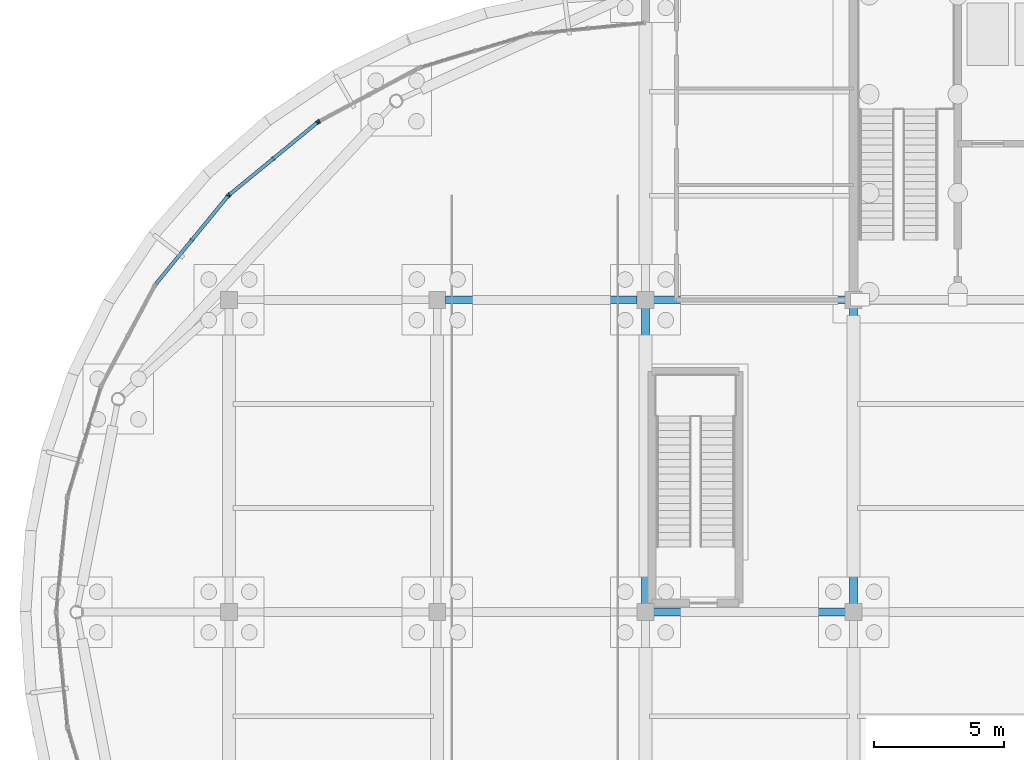
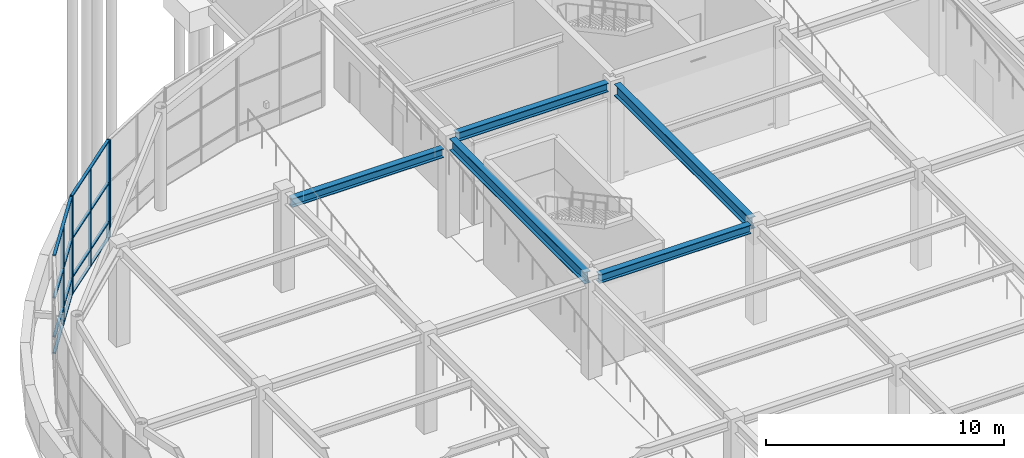
# One storey, part 31 of 85: 14 members, 5 beams, 3 elements without a shape of their own.
"""IFC4 building model written with IfcOpenShell, lengths in metres."""

from ifc_helpers import new_model, si_unit, direction, frame, origin, origin_2d, place, context, subcontext, project, spatial, rectangle, i_section, extrude, material, layer, layer_set, material_profile, profile_set, type_object, element, aggregate, save


model = new_model("IFC4")

# Units and contexts
model_context = context("Model", 3, precision=1e-05, world=origin(), true_north=direction((0.0, 1.0)))
body_context = subcontext(model_context, "Body", "Model", "MODEL_VIEW")
ifc_project = project(units=[si_unit("LENGTHUNIT", "METRE"), si_unit("AREAUNIT", "SQUARE_METRE"), si_unit("VOLUMEUNIT", "CUBIC_METRE"), si_unit("PLANEANGLEUNIT", "RADIAN"), si_unit("MASSUNIT", "GRAM", prefix="KILO")], contexts=[model_context])

# Site, building, storey
site_placement = place(None, origin())
site = spatial("IfcSite", under=ifc_project, at=site_placement, CompositionType="ELEMENT")
building_placement = place(site_placement, origin())
building = spatial("IfcBuilding", under=site, at=building_placement, Name="Keelwater Ferry Terminal", CompositionType="ELEMENT")
storey_placement = place(building_placement, origin())
storey = spatial("IfcBuildingStorey", under=building, at=storey_placement, Name="L00", CompositionType="ELEMENT", Elevation=0.0)

# Curtain wall, member
ifc_material_1 = material(Name="Thermally broken unitised aluminium and triple glass", Category="aluminium")
ifc_layer = layer(ifc_material_1, 0.179931640625)
ifc_layer_set = layer_set([ifc_layer], Name="Thermally broken unitised aluminium and triple glass")
curtain_wall_type = type_object("IfcCurtainWallType", Name="CW-16 Unitised Curtain Wall 4350x5020", PredefinedType="USERDEFINED", material=ifc_layer_set)
curtain_wall_1_placement = place(storey_placement, origin())
curtain_wall_1 = element("IfcCurtainWall", 1, at=curtain_wall_1_placement, inside=storey, type_object=curtain_wall_type, Name="Unitised Curtain Wall CW-L00-079", ObjectType="UNITISED CURTAIN WALL", PredefinedType="USERDEFINED")
ifc_material_2 = material(Name="Aluminium mullion", Category="aluminium")
ifc_material_profile_1 = material_profile(ifc_material_2, rectangle(XDim=0.06005859375, YDim=0.14990234375, at=origin_2d()), Name="CWM-03")
ifc_profile_set_1 = profile_set([ifc_material_profile_1], Name="Aluminium mullion")
member_type_1 = type_object("IfcMemberType", Name="CWM-03 Curtain Mullion 60x150", PredefinedType="MULLION", material=ifc_profile_set_1)
member_1_placement = place(storey_placement, frame((11.4560546875, 84.85400390625, 0.0), z_axis=(0.0, 0.0, 1.0), x_axis=(-0.881862452632, -0.471506749303, 0.0)))
member_1 = element("IfcMember", 2, at=member_1_placement, type_object=member_type_1, Name="CW-L00-079 Mullion 3", PredefinedType="MULLION", context=body_context, shape_type="SweptSolid", body=[
    extrude(rectangle(XDim=0.06005859375, YDim=0.14990234375, at=origin_2d()), origin(), (0.0, 0.0, 1.0), 5.02001953125),
])
aggregate(curtain_wall_1, [member_1])

# Curtain wall, members
curtain_wall_2_placement = place(storey_placement, origin())
curtain_wall_2 = element("IfcCurtainWall", 3, at=curtain_wall_2_placement, inside=storey, type_object=curtain_wall_type, Name="Unitised Curtain Wall CW-L00-080", ObjectType="UNITISED CURTAIN WALL", PredefinedType="USERDEFINED")
member_2_placement = place(storey_placement, frame((11.381103515625, 84.803955078125, 0.0), z_axis=(0.0, 0.0, 1.0), x_axis=(-0.773024220086, -0.634376508991, 0.0)))
member_2 = element("IfcMember", 4, at=member_2_placement, type_object=member_type_1, Name="CW-L00-080 Mullion 1", PredefinedType="MULLION", context=body_context, shape_type="SweptSolid", body=[
    extrude(rectangle(XDim=0.06005859375, YDim=0.14990234375, at=origin_2d()), origin(), (0.0, 0.0, 1.0), 5.02001953125),
])
member_3_placement = place(storey_placement, frame((9.699951171875, 83.424560546875, 0.0), z_axis=(0.0, 0.0, 1.0), x_axis=(-0.773024220086, -0.634376508991, 0.0)))
member_3 = element("IfcMember", 5, at=member_3_placement, type_object=member_type_1, Name="CW-L00-080 Mullion 2", PredefinedType="MULLION", context=body_context, shape_type="SweptSolid", body=[
    extrude(rectangle(XDim=0.06005859375, YDim=0.14990234375, at=origin_2d()), origin(), (0.0, 0.0, 1.0), 5.02001953125),
])
member_4_placement = place(storey_placement, frame((8.01904296875, 82.044921875, 0.0), z_axis=(0.0, 0.0, 1.0), x_axis=(-0.773024220086, -0.634376508991, 0.0)))
member_4 = element("IfcMember", 6, at=member_4_placement, type_object=member_type_1, Name="CW-L00-080 Mullion 3", PredefinedType="MULLION", context=body_context, shape_type="SweptSolid", body=[
    extrude(rectangle(XDim=0.06005859375, YDim=0.14990234375, at=origin_2d()), origin(), (0.0, 0.0, 1.0), 5.02001953125),
])

curtain_wall_3_placement = place(storey_placement, origin())
curtain_wall_3 = element("IfcCurtainWall", 7, at=curtain_wall_3_placement, inside=storey, type_object=curtain_wall_type, Name="Unitised Curtain Wall CW-L00-081", ObjectType="UNITISED CURTAIN WALL", PredefinedType="USERDEFINED")
member_5_placement = place(storey_placement, frame((7.955078125, 81.98095703125, 0.0), z_axis=(0.0, 0.0, 1.0), x_axis=(-0.634376508991, -0.773024220086, 0.0)))
member_5 = element("IfcMember", 8, at=member_5_placement, type_object=member_type_1, Name="CW-L00-081 Mullion 1", PredefinedType="MULLION", context=body_context, shape_type="SweptSolid", body=[
    extrude(rectangle(XDim=0.06005859375, YDim=0.14990234375, at=origin_2d()), origin(), (0.0, 0.0, 1.0), 5.02001953125),
])
member_6_placement = place(storey_placement, frame((6.575439453125, 80.300048828125, 0.0), z_axis=(0.0, 0.0, 1.0), x_axis=(-0.634376508991, -0.773024220086, 0.0)))
member_6 = element("IfcMember", 9, at=member_6_placement, type_object=member_type_1, Name="CW-L00-081 Mullion 2", PredefinedType="MULLION", context=body_context, shape_type="SweptSolid", body=[
    extrude(rectangle(XDim=0.06005859375, YDim=0.14990234375, at=origin_2d()), origin(), (0.0, 0.0, 1.0), 5.02001953125),
])

# Member
ifc_material_3 = material(Name="Aluminium mullion", Category="aluminium")
ifc_material_profile_2 = material_profile(ifc_material_3, rectangle(XDim=0.135009765625, YDim=0.06005859375, at=origin_2d()), Name="CWT-03")
ifc_profile_set_2 = profile_set([ifc_material_profile_2], Name="Aluminium mullion")
member_type_2 = type_object("IfcMemberType", Name="CWT-03 Curtain Transom 60x135", PredefinedType="USERDEFINED", material=ifc_profile_set_2)
member_7_placement = place(storey_placement, frame((11.381103515625, 84.803955078125, 0.0), z_axis=(-0.773026078732, -0.634374244118, 0.0), x_axis=(0.634374244118, -0.773026078732, 0.0)))
member_7 = element("IfcMember", 10, at=member_7_placement, type_object=member_type_2, Name="CW-L00-080 Transom 1", ObjectType="TRANSOM", PredefinedType="USERDEFINED", context=body_context, shape_type="SweptSolid", body=[
    extrude(rectangle(XDim=0.135009765625, YDim=0.06005859375, at=origin_2d()), origin(), (0.0, 0.0, 1.0), 4.34912109375),
])

member_8_placement = place(storey_placement, frame((11.381103515625, 84.803955078125, 0.85009765625), z_axis=(-0.773026078732, -0.634374244118, 0.0), x_axis=(0.634374244118, -0.773026078732, 0.0)))
member_8 = element("IfcMember", 11, at=member_8_placement, type_object=member_type_2, Name="CW-L00-080 Transom 2", ObjectType="TRANSOM", PredefinedType="USERDEFINED", context=body_context, shape_type="SweptSolid", body=[
    extrude(rectangle(XDim=0.135009765625, YDim=0.06005859375, at=origin_2d()), origin(), (0.0, 0.0, 1.0), 4.34912109375),
])

member_9_placement = place(storey_placement, frame((11.381103515625, 84.803955078125, 2.85009765625), z_axis=(-0.773026078732, -0.634374244118, 0.0), x_axis=(0.634374244118, -0.773026078732, 0.0)))
member_9 = element("IfcMember", 12, at=member_9_placement, type_object=member_type_2, Name="CW-L00-080 Transom 3", ObjectType="TRANSOM", PredefinedType="USERDEFINED", context=body_context, shape_type="SweptSolid", body=[
    extrude(rectangle(XDim=0.135009765625, YDim=0.06005859375, at=origin_2d()), origin(), (0.0, 0.0, 1.0), 4.34912109375),
])

member_10_placement = place(storey_placement, frame((11.381103515625, 84.803955078125, 5.02001953125), z_axis=(-0.773026078732, -0.634374244118, 0.0), x_axis=(0.634374244118, -0.773026078732, 0.0)))
member_10 = element("IfcMember", 13, at=member_10_placement, type_object=member_type_2, Name="CW-L00-080 Transom 4", ObjectType="TRANSOM", PredefinedType="USERDEFINED", context=body_context, shape_type="SweptSolid", body=[
    extrude(rectangle(XDim=0.135009765625, YDim=0.06005859375, at=origin_2d()), origin(), (0.0, 0.0, 1.0), 4.34912109375),
])

aggregate(curtain_wall_2, [member_2, member_3, member_4, member_7, member_8, member_9, member_10])

member_11_placement = place(storey_placement, frame((7.955078125, 81.98095703125, 0.0), z_axis=(-0.634374244118, -0.773026078732, 0.0), x_axis=(0.773026078732, -0.634374244118, 0.0)))
member_11 = element("IfcMember", 14, at=member_11_placement, type_object=member_type_2, Name="CW-L00-081 Transom 1", ObjectType="TRANSOM", PredefinedType="USERDEFINED", context=body_context, shape_type="SweptSolid", body=[
    extrude(rectangle(XDim=0.135009765625, YDim=0.06005859375, at=origin_2d()), origin(), (0.0, 0.0, 1.0), 4.34912109375),
])

member_12_placement = place(storey_placement, frame((7.955078125, 81.98095703125, 0.85009765625), z_axis=(-0.634374244118, -0.773026078732, 0.0), x_axis=(0.773026078732, -0.634374244118, 0.0)))
member_12 = element("IfcMember", 15, at=member_12_placement, type_object=member_type_2, Name="CW-L00-081 Transom 2", ObjectType="TRANSOM", PredefinedType="USERDEFINED", context=body_context, shape_type="SweptSolid", body=[
    extrude(rectangle(XDim=0.135009765625, YDim=0.06005859375, at=origin_2d()), origin(), (0.0, 0.0, 1.0), 4.34912109375),
])

member_13_placement = place(storey_placement, frame((7.955078125, 81.98095703125, 2.85009765625), z_axis=(-0.634374244118, -0.773026078732, 0.0), x_axis=(0.773026078732, -0.634374244118, 0.0)))
member_13 = element("IfcMember", 16, at=member_13_placement, type_object=member_type_2, Name="CW-L00-081 Transom 3", ObjectType="TRANSOM", PredefinedType="USERDEFINED", context=body_context, shape_type="SweptSolid", body=[
    extrude(rectangle(XDim=0.135009765625, YDim=0.06005859375, at=origin_2d()), origin(), (0.0, 0.0, 1.0), 4.34912109375),
])

member_14_placement = place(storey_placement, frame((7.955078125, 81.98095703125, 5.02001953125), z_axis=(-0.634374244118, -0.773026078732, 0.0), x_axis=(0.773026078732, -0.634374244118, 0.0)))
member_14 = element("IfcMember", 17, at=member_14_placement, type_object=member_type_2, Name="CW-L00-081 Transom 4", ObjectType="TRANSOM", PredefinedType="USERDEFINED", context=body_context, shape_type="SweptSolid", body=[
    extrude(rectangle(XDim=0.135009765625, YDim=0.06005859375, at=origin_2d()), origin(), (0.0, 0.0, 1.0), 4.34912109375),
])

aggregate(curtain_wall_3, [member_5, member_6, member_11, member_12, member_13, member_14])

# Beams
ifc_material_4 = material(Name="Steel S355", Category="steel")
ifc_material_profile_3 = material_profile(ifc_material_4, i_section(OverallWidth=0.300048828125, OverallDepth=0.60009765625, WebThickness=0.015380859375, FlangeThickness=0.030029296875, at=origin_2d()), Name="HEB 600")
ifc_profile_set_3 = profile_set([ifc_material_profile_3], Name="Steel S355")
beam_type_1 = type_object("IfcBeamType", Name="G3 HEB 600", PredefinedType="BEAM", material=ifc_profile_set_3)
beam_1_placement = place(storey_placement, frame((24.0, 66.318115234375, 4.760009765625), z_axis=(0.0, 1.0, 0.0), x_axis=(-1.0, 0.0, 0.0)))
element("IfcBeam", 18, at=beam_1_placement, inside=storey, type_object=beam_type_1, Name="Beam BM-L00-0160", PredefinedType="BEAM", context=body_context, shape_type="SweptSolid", body=[
    extrude(i_section(OverallWidth=0.300048828125, OverallDepth=0.60009765625, WebThickness=0.015380859375, FlangeThickness=0.030029296875, at=origin_2d()), origin(), (0.0, 0.0, 1.0), 11.36376953125),
])
ifc_material_5 = material(Name="Steel S355", Category="steel")
ifc_material_profile_4 = material_profile(ifc_material_5, i_section(OverallWidth=0.300048828125, OverallDepth=0.60009765625, WebThickness=0.015380859375, FlangeThickness=0.030029296875, at=origin_2d()), Name="HEB 600")
ifc_profile_set_4 = profile_set([ifc_material_profile_4], Name="Steel S355")
beam_type_2 = type_object("IfcBeamType", Name="G3E HEB 600", PredefinedType="BEAM", material=ifc_profile_set_4)
beam_2_placement = place(storey_placement, frame((32.0, 66.318115234375, 4.760009765625), z_axis=(0.0, 1.0, 0.0), x_axis=(-1.0, 0.0, 0.0)))
element("IfcBeam", 19, at=beam_2_placement, inside=storey, type_object=beam_type_2, Name="Beam BM-L00-0170", PredefinedType="BEAM", context=body_context, shape_type="SweptSolid", body=[
    extrude(i_section(OverallWidth=0.300048828125, OverallDepth=0.60009765625, WebThickness=0.015380859375, FlangeThickness=0.030029296875, at=origin_2d()), origin(), (0.0, 0.0, 1.0), 11.36376953125),
])
ifc_material_6 = material(Name="Steel S355", Category="steel")
ifc_material_profile_5 = material_profile(ifc_material_6, i_section(OverallWidth=0.300048828125, OverallDepth=0.449951171875, WebThickness=0.013916015625, FlangeThickness=0.02587890625, at=origin_2d()), Name="HEB 450")
ifc_profile_set_5 = profile_set([ifc_material_profile_5], Name="Steel S355")
beam_type_3 = type_object("IfcBeamType", Name="G6 HEB 450", PredefinedType="BEAM", material=ifc_profile_set_5)
for number, where, z_axis, x_axis, name in (
    (20, (24.318115234375, 66.0, 4.8349609375), (1.0, 0.0, 0.0), (0.0, 1.0, 0.0), "Beam BM-L00-0051"),
    (21, (16.318115234375, 78.0, 4.264892578125), (1.0, 0.0, 0.0), (0.0, 1.0, 0.0), "Beam BM-L00-0068"),
    (22, (24.318115234375, 78.0, 4.8349609375), (1.0, 0.0, 0.0), (0.0, 1.0, 0.0), "Beam BM-L00-0069"),
):
    element("IfcBeam", number, at=place(storey_placement, frame(where, z_axis=z_axis, x_axis=x_axis)), inside=storey, type_object=beam_type_3, Name=name, PredefinedType="BEAM", context=body_context, shape_type="SweptSolid", body=[
        extrude(i_section(OverallWidth=0.300048828125, OverallDepth=0.449951171875, WebThickness=0.013916015625, FlangeThickness=0.02587890625, at=origin_2d()), origin(), (0.0, 0.0, 1.0), 7.36376953125),
    ])

save(model, "model.ifc")
